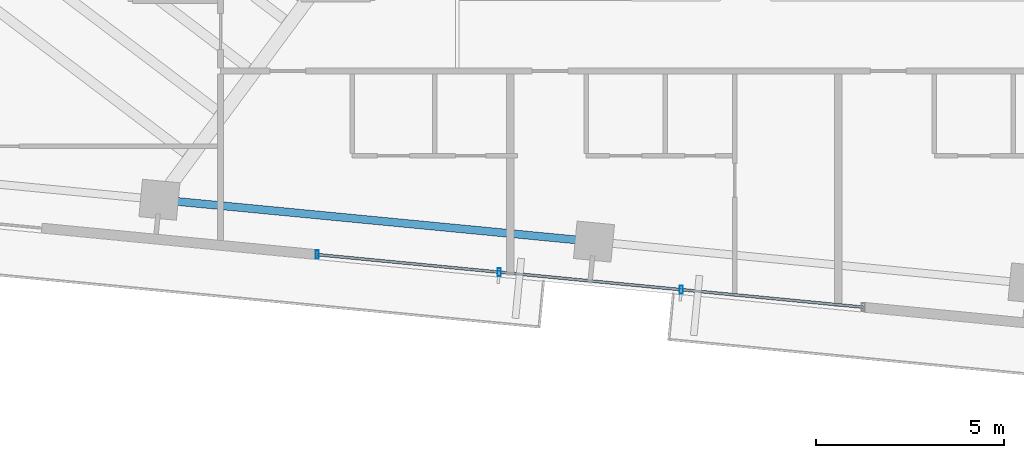
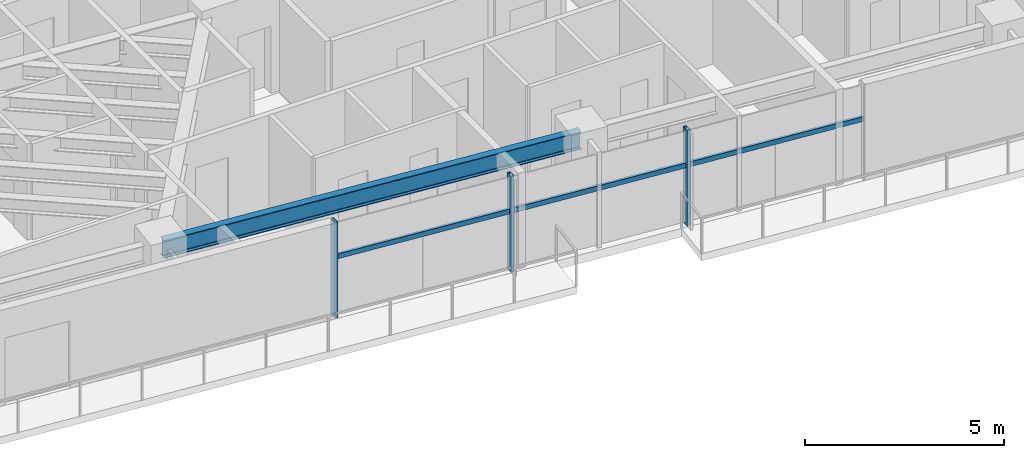
# One storey, part 4 of 19: 6 members, 1 beam, 1 element without a shape of its own.
"""IFC4 building model written with IfcOpenShell, lengths in metres."""

from ifc_helpers import new_model, si_unit, direction, frame, origin, origin_2d, place, context, subcontext, project, spatial, hollow_rectangle, i_section, extrude, source, transform, mapped, material, material_profile, profile_set, type_object, type_shapes, element, aggregate, save


model = new_model("IFC4")

# Units and contexts
model_context = context("Model", 3, precision=1e-05, world=origin(), true_north=direction((0.0, 1.0)))
body_context = subcontext(model_context, "Body", "Model", "MODEL_VIEW")
ifc_project = project(units=[si_unit("LENGTHUNIT", "METRE"), si_unit("AREAUNIT", "SQUARE_METRE"), si_unit("VOLUMEUNIT", "CUBIC_METRE"), si_unit("PLANEANGLEUNIT", "RADIAN"), si_unit("MASSUNIT", "GRAM", prefix="KILO")], contexts=[model_context])

# Site, building, storey
site_placement = place(None, origin())
site = spatial("IfcSite", under=ifc_project, at=site_placement, CompositionType="ELEMENT")
building_placement = place(site_placement, origin())
building = spatial("IfcBuilding", under=site, at=building_placement, Name="Astriad Promenade Condominiums", CompositionType="ELEMENT")
storey_placement = place(building_placement, frame((0.0, 0.0, 140.60009765625)))
storey = spatial("IfcBuildingStorey", under=building, at=storey_placement, Name="L40", CompositionType="ELEMENT", Elevation=140.60009765625)

# Beam
ifc_material_1 = material(Name="Steel ASTM A992 Grade 50", Category="steel")
ifc_material_profile_1 = material_profile(ifc_material_1, i_section(OverallWidth=0.210693359375, OverallDepth=0.53955078125, WebThickness=0.01171875, FlangeThickness=0.018798828125, FilletRadius=0.0166015625, at=origin_2d()), Name="W21X73")
ifc_profile_set_1 = profile_set([ifc_material_profile_1], Name="Steel ASTM A992 Grade 50")
beam_type = type_object("IfcBeamType", Name="STEEL SPANDREL BEAM W21X73", PredefinedType="SPANDREL", material=ifc_profile_set_1)
shared_shape_1 = source(origin(), body_context, "Body", "SweptSolid", [
    extrude(i_section(OverallWidth=0.210693359375, OverallDepth=0.53955078125, WebThickness=0.01171875, FlangeThickness=0.018798828125, FilletRadius=0.0166015625, at=origin_2d()), origin(), (0.0, 0.0, 1.0), 11.52001953125),
])
type_shapes(beam_type, [shared_shape_1])
beam_placement = place(storey_placement, frame((20.467041015625, 9.32763671875, 2.670166015625), z_axis=(0.9953953902, -0.095854145285, 0.0), x_axis=(0.095854145285, 0.9953953902, 0.0)))
element("IfcBeam", 1, at=beam_placement, inside=storey, type_object=beam_type, Name="Perimeter Spandrel Beam SP-S2-L40", PredefinedType="SPANDREL", context=body_context, shape_type="MappedRepresentation", body=[
    mapped(shared_shape_1, transform((0.0, 0.0, 0.0), scale=1.0)),
])

# Curtain wall, members
ifc_material_2 = material(Name="Anodised aluminium Black Dark Glass Unitised", Category="aluminium")
curtain_wall_type = type_object("IfcCurtainWallType", Name="CW-B34-DARK", PredefinedType="USERDEFINED", material=ifc_material_2)
curtain_wall_placement = place(storey_placement, origin())
curtain_wall = element("IfcCurtainWall", 2, at=curtain_wall_placement, inside=storey, type_object=curtain_wall_type, Name="CW-L40-S", ObjectType="UNITISED_CURTAIN_WALL", PredefinedType="USERDEFINED")
ifc_material_3 = material(Name="Anodised aluminium 6063-T6 Black", Category="aluminium")
ifc_material_profile_2 = material_profile(ifc_material_3, hollow_rectangle(XDim=0.0849609375, YDim=0.219970703125, WallThickness=0.0048828125, at=origin_2d()), Name="ALU-MUL-85X220")
ifc_profile_set_2 = profile_set([ifc_material_profile_2], Name="Anodised aluminium 6063-T6 Black")
member_type_1 = type_object("IfcMemberType", Name="MUL-ALU-MUL-85X220", PredefinedType="MULLION", material=ifc_profile_set_2)
shared_shape_2 = source(origin(), body_context, "Body", "SweptSolid", [
    extrude(hollow_rectangle(XDim=0.0849609375, YDim=0.219970703125, WallThickness=0.0048828125, at=origin_2d()), origin(), (0.0, 0.0, 1.0), 2.93994140625),
])
type_shapes(member_type_1, [shared_shape_2])
member_1_placement = place(storey_placement, frame((34.2919921875, 6.941650390625, 0.0), z_axis=(0.0, 0.0, 1.0), x_axis=(1.0, 0.0, 0.0)))
member_1 = element("IfcMember", 3, at=member_1_placement, type_object=member_type_1, Name="CW-L40-S-MUL-01", PredefinedType="MULLION", context=body_context, shape_type="MappedRepresentation", body=[
    mapped(shared_shape_2, transform((0.0, 0.0, 0.0), scale=1.0)),
])
member_2_placement = place(storey_placement, frame((29.454345703125, 7.407470703125, 0.0), z_axis=(0.0, 0.0, 1.0), x_axis=(1.0, 0.0, 0.0)))
member_2 = element("IfcMember", 4, at=member_2_placement, type_object=member_type_1, Name="CW-L40-S-MUL-02", PredefinedType="MULLION", context=body_context, shape_type="MappedRepresentation", body=[
    mapped(shared_shape_2, transform((0.0, 0.0, 0.0), scale=1.0)),
])
member_3_placement = place(storey_placement, frame((24.61669921875, 7.873291015625, 0.0), z_axis=(0.0, 0.0, 1.0), x_axis=(1.0, 0.0, 0.0)))
member_3 = element("IfcMember", 5, at=member_3_placement, type_object=member_type_1, Name="CW-L40-S-MUL-03", PredefinedType="MULLION", context=body_context, shape_type="MappedRepresentation", body=[
    mapped(shared_shape_2, transform((0.0, 0.0, 0.0), scale=1.0)),
])
ifc_material_profile_3 = material_profile(ifc_material_3, hollow_rectangle(XDim=0.074951171875, YDim=0.14990234375, WallThickness=0.004150390625, at=origin_2d()), Name="ALU-TRN-75X150")
ifc_profile_set_3 = profile_set([ifc_material_profile_3], Name="Anodised aluminium 6063-T6 Black")
member_type_2 = type_object("IfcMemberType", Name="TRN-ALU-TRN-75X150", PredefinedType="USERDEFINED", material=ifc_profile_set_3)
shared_shape_3 = source(origin(), body_context, "Body", "SweptSolid", [
    extrude(hollow_rectangle(XDim=0.074951171875, YDim=0.14990234375, WallThickness=0.004150390625, at=origin_2d()), origin(), (0.0, 0.0, 1.0), 4.860107421875),
])
type_shapes(member_type_2, [shared_shape_3])
member_4_placement = place(storey_placement, frame((39.129638671875, 6.475830078125, 1.82275390625), z_axis=(-0.995396042559, 0.095847370639, 0.0), x_axis=(-0.095847370639, -0.995396042559, 0.0)))
member_4 = element("IfcMember", 6, at=member_4_placement, type_object=member_type_2, Name="CW-L40-S-TRN-00-0", ObjectType="TRANSOM", PredefinedType="USERDEFINED", context=body_context, shape_type="MappedRepresentation", body=[
    mapped(shared_shape_3, transform((0.0, 0.0, 0.0), scale=1.0)),
])
member_5_placement = place(storey_placement, frame((34.2919921875, 6.941650390625, 1.82275390625), z_axis=(-0.995396042559, 0.095847370639, 0.0), x_axis=(-0.095847370639, -0.995396042559, 0.0)))
member_5 = element("IfcMember", 7, at=member_5_placement, type_object=member_type_2, Name="CW-L40-S-TRN-01-0", ObjectType="TRANSOM", PredefinedType="USERDEFINED", context=body_context, shape_type="MappedRepresentation", body=[
    mapped(shared_shape_3, transform((0.0, 0.0, 0.0), scale=1.0)),
])
member_6_placement = place(storey_placement, frame((29.454345703125, 7.407470703125, 1.82275390625), z_axis=(-0.995396042559, 0.095847370639, 0.0), x_axis=(-0.095847370639, -0.995396042559, 0.0)))
member_6 = element("IfcMember", 8, at=member_6_placement, type_object=member_type_2, Name="CW-L40-S-TRN-02-0", ObjectType="TRANSOM", PredefinedType="USERDEFINED", context=body_context, shape_type="MappedRepresentation", body=[
    mapped(shared_shape_3, transform((0.0, 0.0, 0.0), scale=1.0)),
])
aggregate(curtain_wall, [member_1, member_2, member_3, member_4, member_5, member_6])

save(model, "model.ifc")
